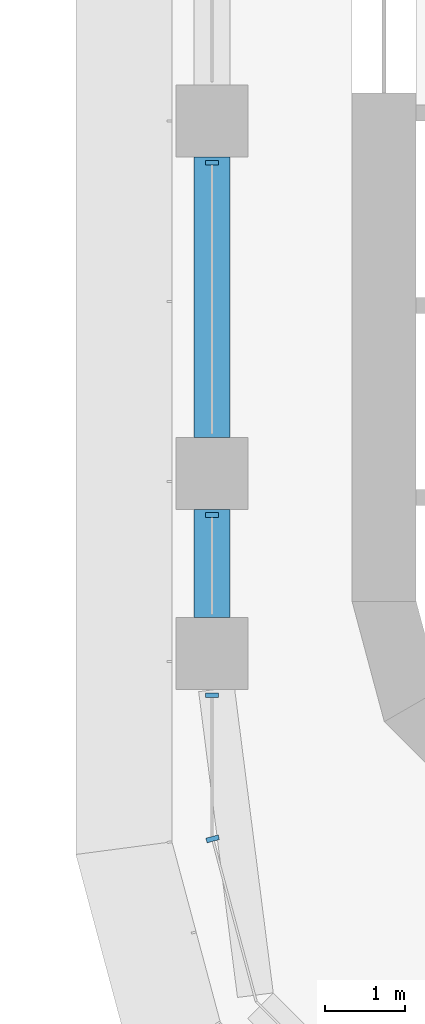
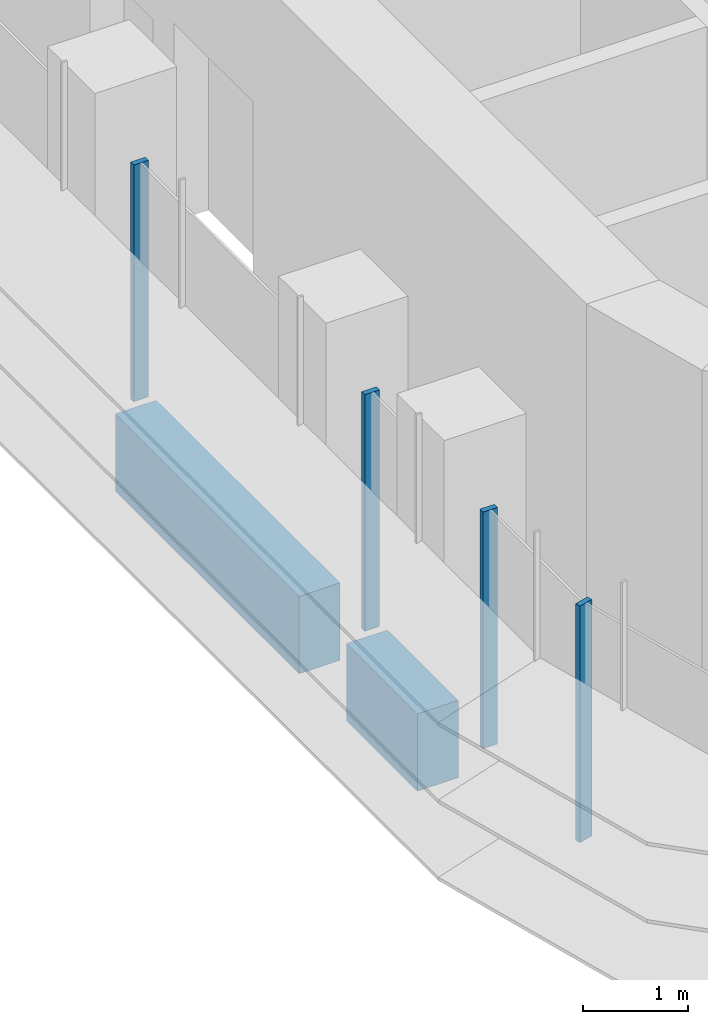
# One storey, part 2 of 22: 4 members, 2 beams, 2 elements without a shape of their own.
"""IFC4 building model written with IfcOpenShell, lengths in metres."""

import ifcopenshell
import ifcopenshell.guid

model = None  # the IFC model being written
_history = None  # IfcOwnerHistory: only IFC2X3 demands one
_inside = {}  # id of a spatial element -> (the spatial element, [elements in it])
_under = {}  # id of a project, library or spatial element -> (it, [spatial elements below it])
_declared = {}  # id of a project -> (the project, [libraries it declares])
_typed = {}  # id of a type object -> (the type object, [elements of that type])
_made_of = {}  # id of a material, layer set ... -> (it, [elements and type objects made of it])


def new_model(schema):
    """Start an empty IFC model of exactly this schema.

    Asked for "IFC4X3", IfcOpenShell would pick the latest addendum, in which some entities
    have other attributes; the version numbers below select the first issue.
    IFC2X3 requires an IfcOwnerHistory on every rooted entity: one is made here for all.
    """
    global model, _history
    if schema == "IFC4X3":
        model = ifcopenshell.file(schema_version=(4, 3, 0, 0))
    else:
        model = ifcopenshell.file(schema=schema)
    _inside.clear()
    _under.clear()
    _declared.clear()
    _typed.clear()
    _made_of.clear()
    _history = None
    if model.schema == "IFC2X3":
        org = make("IfcOrganization", Name="unknown")
        user = make(
            "IfcPersonAndOrganization",
            ThePerson=make("IfcPerson", FamilyName="unknown"),
            TheOrganization=org,
        )
        app = make(
            "IfcApplication",
            ApplicationDeveloper=org,
            Version="unknown",
            ApplicationFullName="unknown",
            ApplicationIdentifier="unknown",
        )
        _history = make(
            "IfcOwnerHistory",
            OwningUser=user,
            OwningApplication=app,
            ChangeAction="ADDED",
            CreationDate=0,
        )
    return model


def make(cls, **values):
    """One entity of the class cls with the attributes given. An attribute that is None is left unset."""
    return model.create_entity(
        cls, **{name: value for name, value in values.items() if value is not None}
    )


def rooted(cls, **values):
    """An entity with a GlobalId (a new one), such as an element, a storey or a relation."""
    return make(cls, GlobalId=ifcopenshell.guid.new(), OwnerHistory=_history, **values)


def si_unit(unit_type, name, prefix=None):
    """IfcSIUnit, for example si_unit("LENGTHUNIT", "METRE", prefix="MILLI")."""
    return make("IfcSIUnit", UnitType=unit_type, Prefix=prefix, Name=name)


def assignment(units):
    """IfcUnitAssignment: the units of a project."""
    return None if units is None else make("IfcUnitAssignment", Units=units)


def point(xyz):
    """IfcCartesianPoint."""
    return None if xyz is None else make("IfcCartesianPoint", Coordinates=xyz)


def direction(xyz):
    """IfcDirection."""
    return None if xyz is None else make("IfcDirection", DirectionRatios=xyz)


def frame(location, z_axis=None, x_axis=None):
    """IfcAxis2Placement3D, a coordinate frame: its origin and axes. An axis left out is left unset."""
    return make(
        "IfcAxis2Placement3D",
        Location=point(location),
        Axis=direction(z_axis),
        RefDirection=direction(x_axis),
    )


def frame_2d(location, x_axis=None):
    """IfcAxis2Placement2D, a coordinate frame in the plane: its origin and x axis."""
    return make(
        "IfcAxis2Placement2D", Location=point(location), RefDirection=direction(x_axis)
    )


def origin():
    """The frame at (0, 0, 0) with its axes left unset."""
    return frame((0.0, 0.0, 0.0))


def origin_2d():
    """The frame at (0, 0) in the plane with its x axis left unset."""
    return frame_2d((0.0, 0.0))


def place(relative_to, where):
    """IfcLocalPlacement: puts the frame where relative to a parent placement (None: the world)."""
    return make(
        "IfcLocalPlacement", PlacementRelTo=relative_to, RelativePlacement=where
    )


def context(
    kind, dimensions, precision=None, world=None, true_north=None, identifier=None
):
    """IfcGeometricRepresentationContext, for example the 3D "Model" context."""
    return make(
        "IfcGeometricRepresentationContext",
        ContextIdentifier=identifier,
        ContextType=kind,
        CoordinateSpaceDimension=dimensions,
        Precision=precision,
        WorldCoordinateSystem=world,
        TrueNorth=true_north,
    )


def subcontext(parent, identifier, kind, view, scale=None):
    """IfcGeometricRepresentationSubContext, for example "Body" below "Model"."""
    return make(
        "IfcGeometricRepresentationSubContext",
        ContextIdentifier=identifier,
        ContextType=kind,
        ParentContext=parent,
        TargetScale=scale,
        TargetView=view,
    )


def project(units=None, contexts=None):
    """IfcProject with its units and contexts."""
    return rooted(
        "IfcProject",
        Name="project",
        RepresentationContexts=contexts,
        UnitsInContext=assignment(units),
    )


def spatial(cls, under=None, at=None, **own):
    """A site, building, storey or space (cls), placed at a placement, below another one or the project."""
    s = rooted(cls, ObjectPlacement=at, **own)
    if under is not None:
        _under.setdefault(under.id(), (under, []))[1].append(s)
    return s


def polyline(points):
    """IfcPolyline through the points."""
    return make("IfcPolyline", Points=[point(p) for p in points])


def profile(cls, at=None, kind="AREA", **sizes):
    """A parametric profile (cls). Its sizes go by their IFC names, for example OverallWidth=200.0."""
    return make(cls, ProfileType=kind, Position=at, **sizes)


def rectangle(**sizes):
    """IfcRectangleProfileDef."""
    return profile("IfcRectangleProfileDef", **sizes)


def outline(outer, holes=None, kind="AREA"):
    """IfcArbitraryClosedProfileDef: a profile drawn as a closed curve; with holes, ...WithVoids."""
    if holes is None:
        return make("IfcArbitraryClosedProfileDef", ProfileType=kind, OuterCurve=outer)
    return make(
        "IfcArbitraryProfileDefWithVoids",
        ProfileType=kind,
        OuterCurve=outer,
        InnerCurves=holes,
    )


def extrude(swept, where, along, depth):
    """IfcExtrudedAreaSolid: the profile swept, set in the frame where, extruded along a direction by depth."""
    return make(
        "IfcExtrudedAreaSolid",
        SweptArea=swept,
        Position=where,
        ExtrudedDirection=direction(along),
        Depth=depth,
    )


def shape(context_of_items, identifier, shape_type, items):
    """IfcShapeRepresentation: the items that make up one representation, for example the "Body"."""
    return make(
        "IfcShapeRepresentation",
        ContextOfItems=context_of_items,
        RepresentationIdentifier=identifier,
        RepresentationType=shape_type,
        Items=items,
    )


def source(mapping_origin, context_of_items, identifier, shape_type, items):
    """IfcRepresentationMap: a shape defined once, which mapped items show again and again."""
    return make(
        "IfcRepresentationMap",
        MappingOrigin=mapping_origin,
        MappedRepresentation=shape(context_of_items, identifier, shape_type, items),
    )


def transform(
    local_origin,
    x_axis=None,
    y_axis=None,
    z_axis=None,
    scale=None,
    scale2=None,
    scale3=None,
    uniform=True,
):
    """IfcCartesianTransformationOperator3D, or its non-uniform kind. x_axis, y_axis, z_axis: its Axis1, 2, 3."""
    if uniform:
        return make(
            "IfcCartesianTransformationOperator3D",
            Axis1=direction(x_axis),
            Axis2=direction(y_axis),
            LocalOrigin=point(local_origin),
            Scale=scale,
            Axis3=direction(z_axis),
        )
    return make(
        "IfcCartesianTransformationOperator3DnonUniform",
        Axis1=direction(x_axis),
        Axis2=direction(y_axis),
        LocalOrigin=point(local_origin),
        Scale=scale,
        Axis3=direction(z_axis),
        Scale2=scale2,
        Scale3=scale3,
    )


def mapped(mapping_source, mapping_target):
    """IfcMappedItem: shows the shape of a source again, moved by a transform."""
    return make(
        "IfcMappedItem", MappingSource=mapping_source, MappingTarget=mapping_target
    )


def material(Name=None, Category=None):
    """IfcMaterial."""
    return make("IfcMaterial", Name=Name, Category=Category)


def material_profile(
    of_material, cross_section, Name=None, Category=None, Priority=None
):
    """IfcMaterialProfile: a cross section and its material."""
    return make(
        "IfcMaterialProfile",
        Name=Name,
        Material=of_material,
        Profile=cross_section,
        Priority=Priority,
        Category=Category,
    )


def profile_set(profiles, Name=None, composite=None):
    """IfcMaterialProfileSet."""
    return make(
        "IfcMaterialProfileSet",
        Name=Name,
        MaterialProfiles=profiles,
        CompositeProfile=composite,
    )


def made_of(thing, what):
    """Note that an element or type object is made of a material, layer set ...; save() writes the relation."""
    if what is not None:
        _made_of.setdefault(what.id(), (what, []))[1].append(thing)
    return thing


def type_object(cls, material=None, **own):
    """A type object (cls), such as IfcWallType, which elements share."""
    return made_of(rooted(cls, **own), material)


def element(
    cls,
    number,
    at=None,
    inside=None,
    cuts=None,
    type_object=None,
    material=None,
    context=None,
    identifier="Body",
    shape_type=None,
    held_by="IfcProductDefinitionShape",
    body=None,
    shapes=None,
    **own,
):
    """One element of the class cls, such as IfcWall. Its Tag is "e" and its number.

    at: its placement. inside: the storey or other place that contains it. cuts: it is an
    opening in that element (IfcRelVoidsElement). A single representation is given by context,
    identifier, shape_type and body (its items); several are given by shapes. held_by: the class
    of the entity that holds the representations. save() writes the other relations.
    """
    e = rooted(cls, Tag="e%d" % number, ObjectPlacement=at, **own)
    if body is not None:
        shapes = [shape(context, identifier, shape_type, body)]
    if shapes is not None:
        e.Representation = make(held_by, Representations=shapes)
    if inside is not None:
        _inside.setdefault(inside.id(), (inside, []))[1].append(e)
    if cuts is not None:
        rooted(
            "IfcRelVoidsElement", RelatingBuildingElement=cuts, RelatedOpeningElement=e
        )
    if type_object is not None:
        _typed.setdefault(type_object.id(), (type_object, []))[1].append(e)
    return made_of(e, material)


def aggregate(whole, parts):
    """IfcRelAggregates: a whole, such as a stair, and the parts it consists of."""
    return rooted("IfcRelAggregates", RelatingObject=whole, RelatedObjects=parts)


def save(model, path):
    """Write the relations noted so far, then the file.

    IfcRelAggregates (storeys below a building ...), IfcRelContainedInSpatialStructure (elements
    in a storey), IfcRelDefinesByType, IfcRelAssociatesMaterial and IfcRelDeclares: one each for
    every whole, place, type object, material and project.
    """
    for whole, parts in _under.values():
        aggregate(whole, parts)
    for where, things in _inside.values():
        rooted(
            "IfcRelContainedInSpatialStructure",
            RelatedElements=things,
            RelatingStructure=where,
        )
    for kind, things in _typed.values():
        rooted("IfcRelDefinesByType", RelatedObjects=things, RelatingType=kind)
    for what, things in _made_of.values():
        rooted("IfcRelAssociatesMaterial", RelatedObjects=things, RelatingMaterial=what)
    for by, libraries in _declared.values():
        rooted("IfcRelDeclares", RelatingContext=by, RelatedDefinitions=libraries)
    model.write(path)


model = new_model("IFC4")

# Units and contexts
model_context = context("Model", 3, precision=1e-05, world=origin(), true_north=direction((0.0, 1.0)))
body_context = subcontext(model_context, "Body", "Model", "MODEL_VIEW")
ifc_project = project(units=[si_unit("LENGTHUNIT", "METRE"), si_unit("AREAUNIT", "SQUARE_METRE"), si_unit("VOLUMEUNIT", "CUBIC_METRE"), si_unit("PLANEANGLEUNIT", "RADIAN"), si_unit("MASSUNIT", "GRAM", prefix="KILO")], contexts=[model_context])

# Site, building, storey
site_placement = place(None, origin())
site = spatial("IfcSite", under=ifc_project, at=site_placement, CompositionType="ELEMENT")
building_placement = place(site_placement, origin())
building = spatial("IfcBuilding", under=site, at=building_placement, Name="Zarbagh Exchange Tower", CompositionType="ELEMENT")
storey_placement = place(building_placement, frame((0.0, 0.0, 101.800048828125)))
storey = spatial("IfcBuildingStorey", under=building, at=storey_placement, Name="L23", CompositionType="ELEMENT", Elevation=101.800048828125)

# Beams
ifc_material_1 = material(Name="Concrete C60/75", Category="concrete")
ifc_material_profile = material_profile(ifc_material_1, rectangle(XDim=0.449951171875, YDim=0.89990234375, at=origin_2d()), Name="RC spandrel beam 450 x 900 C60/75")
ifc_profile_set = profile_set([ifc_material_profile], Name="Concrete C60/75")
beam_type = type_object("IfcBeamType", Name="RC spandrel beam 450 x 900 C60/75", PredefinedType="SPANDREL", material=ifc_profile_set)
beam_1_placement = place(storey_placement, frame((-6.25, -26.449951171875, -0.60009765625), z_axis=(0.0, 1.0, 0.0), x_axis=(-1.0, 0.0, 0.0)))
element("IfcBeam", 1, at=beam_1_placement, inside=storey, type_object=beam_type, Name="RC spandrel beam", PredefinedType="SPANDREL", context=body_context, shape_type="SweptSolid", body=[
    extrude(rectangle(XDim=0.449951171875, YDim=0.89990234375, at=origin_2d()), origin(), (0.0, 0.0, 1.0), 1.349853515625),
])
beam_2_placement = place(storey_placement, frame((-6.25, -24.199951171875, -0.60009765625), z_axis=(0.0, 1.0, 0.0), x_axis=(-1.0, 0.0, 0.0)))
element("IfcBeam", 2, at=beam_2_placement, inside=storey, type_object=beam_type, Name="RC spandrel beam", PredefinedType="SPANDREL", context=body_context, shape_type="SweptSolid", body=[
    extrude(rectangle(XDim=0.449951171875, YDim=0.89990234375, at=origin_2d()), origin(), (0.0, 0.0, 1.0), 3.5),
])

# Curtain wall, members
ifc_material_2 = material(Name="Anodised aluminium frame and glazing", Category="aluminium")
curtain_wall_type = type_object("IfcCurtainWallType", Name="CWA Ribbon glazing, lower zones", PredefinedType="NOTDEFINED", material=ifc_material_2)
curtain_wall_1_placement = place(storey_placement, origin())
curtain_wall_1 = element("IfcCurtainWall", 3, at=curtain_wall_1_placement, inside=storey, type_object=curtain_wall_type, Name="CWA44 curtain wall", PredefinedType="NOTDEFINED")
ifc_material_3 = material(Name="Anodised aluminium frame", Category="aluminium")
member_type = type_object("IfcMemberType", Name="MUA Mullion, anodised aluminium frame", PredefinedType="MULLION", material=ifc_material_3)
shared_shape = source(origin(), body_context, "Body", "SweptSolid", [
    extrude(outline(polyline([(0.0, -0.080078125), (0.06005859375, -0.080078125), (0.06005859375, 0.080078125), (0.0, 0.080078125), (0.0, -0.080078125)])), origin(), (0.0, 0.0, 1.0), 2.75),
])
placement = place(storey_placement, origin())
member_1 = element("IfcMember", 4, at=placement, type_object=member_type, Name="CWA44 mullion 3.1", PredefinedType="MULLION", context=body_context, shape_type="MappedRepresentation", body=[
    mapped(shared_shape, transform((-6.25, -20.739990234375, 0.0), x_axis=(0.0, -1.0, 0.0), y_axis=(1.0, 0.0, 0.0), z_axis=(0.0, 0.0, 1.0))),
])
member_2 = element("IfcMember", 5, at=placement, type_object=member_type, Name="CWA44 mullion 4.1", PredefinedType="MULLION", context=body_context, shape_type="MappedRepresentation", body=[
    mapped(shared_shape, transform((-6.25, -25.14013671875, 0.0), x_axis=(0.0, -1.0, 0.0), y_axis=(1.0, 0.0, 0.0), z_axis=(0.0, 0.0, 1.0))),
])
member_3 = element("IfcMember", 6, at=placement, type_object=member_type, Name="CWA44 mullion 5.1", PredefinedType="MULLION", context=body_context, shape_type="MappedRepresentation", body=[
    mapped(shared_shape, transform((-6.25, -27.39013671875, 0.0), x_axis=(0.0, -1.0, 0.0), y_axis=(1.0, 0.0, 0.0), z_axis=(0.0, 0.0, 1.0))),
])
aggregate(curtain_wall_1, [member_1, member_2, member_3])

# Curtain wall, member
curtain_wall_2_placement = place(storey_placement, origin())
curtain_wall_2 = element("IfcCurtainWall", 7, at=curtain_wall_2_placement, inside=storey, type_object=curtain_wall_type, Name="CWA45 curtain wall", PredefinedType="NOTDEFINED")
member_4 = element("IfcMember", 8, at=placement, type_object=member_type, Name="CWA45 mullion 1.1", PredefinedType="MULLION", context=body_context, shape_type="MappedRepresentation", body=[
    mapped(shared_shape, transform((-6.25, -29.18408203125, 0.0), x_axis=(0.258824779902, -0.965924289636, 0.0), y_axis=(0.965924289636, 0.258824779902, 0.0), z_axis=(0.0, 0.0, 1.0))),
])
aggregate(curtain_wall_2, [member_4])

save(model, "model.ifc")
